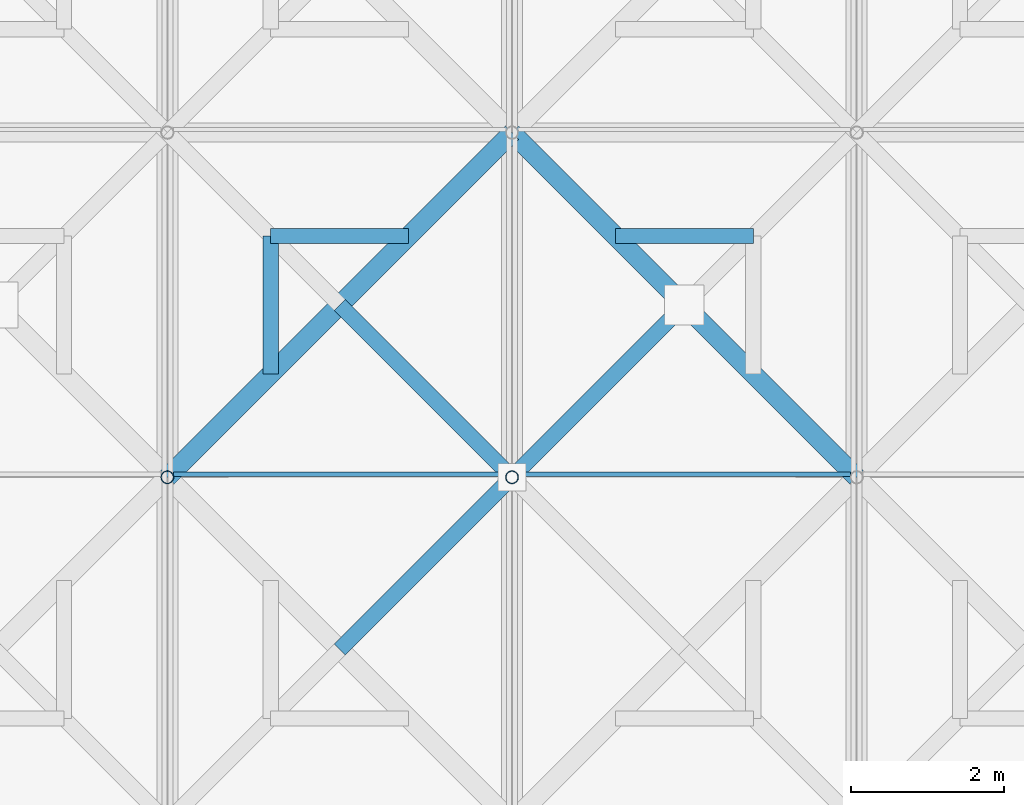
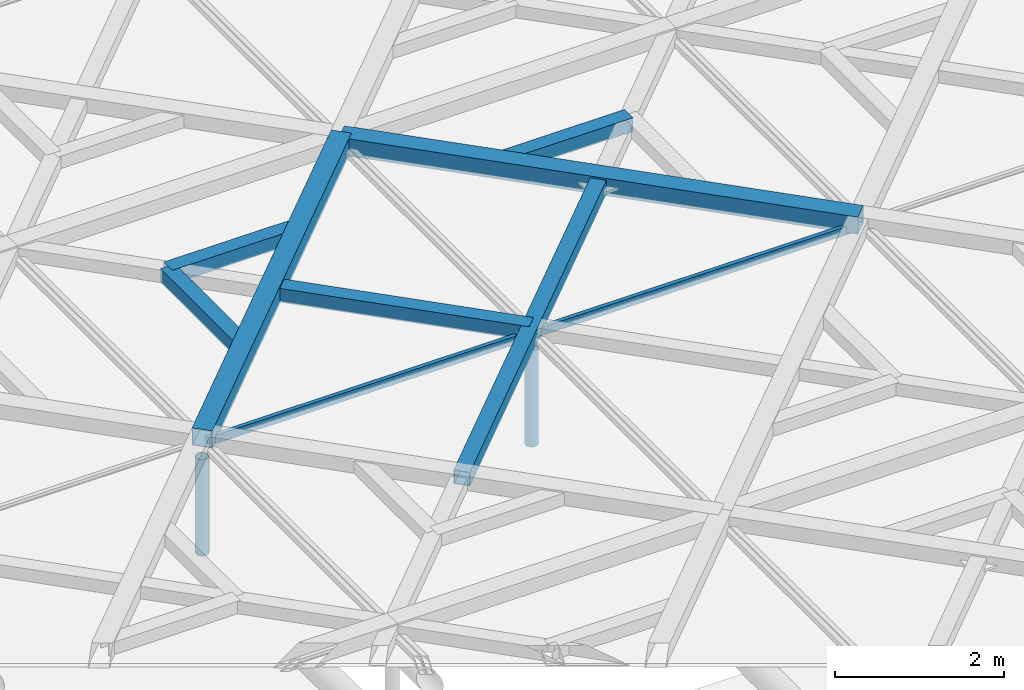
# One storey, part 42 of 80: 11 members, 2 elements without a shape of their own.
"""IFC4 building model written with IfcOpenShell, lengths in metres."""

from ifc_helpers import new_model, si_unit, direction, frame, origin, origin_2d, place, context, subcontext, project, spatial, rectangle, hollow_rectangle, hollow_circle, extrude, material, material_profile, profile_set, type_object, element, aggregate, save


model = new_model("IFC4")

# Units and contexts
model_context = context("Model", 3, precision=1e-05, world=origin(), true_north=direction((0.0, 1.0)))
body_context = subcontext(model_context, "Body", "Model", "MODEL_VIEW")
ifc_project = project(units=[si_unit("LENGTHUNIT", "METRE"), si_unit("AREAUNIT", "SQUARE_METRE"), si_unit("VOLUMEUNIT", "CUBIC_METRE"), si_unit("PLANEANGLEUNIT", "RADIAN"), si_unit("MASSUNIT", "GRAM", prefix="KILO"), si_unit("THERMODYNAMICTEMPERATUREUNIT", "KELVIN"), si_unit("POWERUNIT", "WATT")], contexts=[model_context])

# Site, building, storey
site_placement = place(None, origin())
site = spatial("IfcSite", under=ifc_project, at=site_placement, CompositionType="ELEMENT")
building_placement = place(site_placement, origin())
building = spatial("IfcBuilding", under=site, at=building_placement, Name="Tallowbark Science Centre", CompositionType="ELEMENT")
storey_placement = place(building_placement, frame((0.0, 0.0, 25.949951171875)))
storey = spatial("IfcBuildingStorey", under=building, at=storey_placement, Name="ROOF", CompositionType="ELEMENT", Elevation=25.949951171875)

# Curtain wall, member
ifc_material_1 = material(Name="Blue-Tinted Laminated Low-E Skylight Glass", Category="glass")
curtain_wall_type = type_object("IfcCurtainWallType", Name="CW-SKY-ROOF", PredefinedType="NOTDEFINED", material=ifc_material_1)
curtain_wall_1_placement = place(storey_placement, origin())
curtain_wall_1 = element("IfcCurtainWall", 1, at=curtain_wall_1_placement, inside=storey, type_object=curtain_wall_type, Name="Exhibition Star-Screen Skylight Bay 8", PredefinedType="NOTDEFINED")
ifc_material_2 = material(Name="Anodised Architectural Aluminium Alloy 6063-T6", Category="aluminium")
ifc_material_profile_1 = material_profile(ifc_material_2, rectangle(XDim=0.054931640625, YDim=0.1201171875, at=origin_2d()), Name="ALU55x120")
ifc_profile_set_1 = profile_set([ifc_material_profile_1], Name="Anodised Architectural Aluminium Alloy 6063-T6")
member_type_1 = type_object("IfcMemberType", Name="CWM-SKY-TRN", PredefinedType="USERDEFINED", material=ifc_profile_set_1)
member_1_placement = place(storey_placement, frame((85.580078125, 27.0400390625, 0.35205078125), z_axis=(1.0, 0.0, 0.0), x_axis=(0.0, 1.0, 0.0)))
member_1 = element("IfcMember", 2, at=member_1_placement, type_object=member_type_1, Name="Skylight Bay 8 Transom 7", ObjectType="TRANSOM", PredefinedType="USERDEFINED", context=body_context, shape_type="SweptSolid", body=[
    extrude(rectangle(XDim=0.054931640625, YDim=0.1201171875, at=origin_2d()), origin(), (0.0, 0.0, 1.0), 4.33984375),
])
aggregate(curtain_wall_1, [member_1])

curtain_wall_2_placement = place(storey_placement, origin())
curtain_wall_2 = element("IfcCurtainWall", 3, at=curtain_wall_2_placement, inside=storey, type_object=curtain_wall_type, Name="Exhibition Star-Screen Skylight Bay 9", PredefinedType="NOTDEFINED")
member_2_placement = place(storey_placement, frame((90.080078125, 27.0400390625, 0.35205078125), z_axis=(1.0, 0.0, 0.0), x_axis=(0.0, 1.0, 0.0)))
member_2 = element("IfcMember", 4, at=member_2_placement, type_object=member_type_1, Name="Skylight Bay 9 Transom 7", ObjectType="TRANSOM", PredefinedType="USERDEFINED", context=body_context, shape_type="SweptSolid", body=[
    extrude(rectangle(XDim=0.054931640625, YDim=0.1201171875, at=origin_2d()), origin(), (0.0, 0.0, 1.0), 4.33984375),
])
aggregate(curtain_wall_2, [member_2])

# Members
ifc_material_3 = material(Name="White Architectural Painted Steel Grade C350L0 (350 MPa)", Category="steel")
ifc_material_profile_2 = material_profile(ifc_material_3, hollow_rectangle(XDim=0.25, YDim=0.25, WallThickness=0.009033203125, at=origin_2d()), Name="250x250x9.0SHS")
ifc_profile_set_2 = profile_set([ifc_material_profile_2], Name="White Architectural Painted Steel Grade C350L0 (350 MPa)")
member_type_2 = type_object("IfcMemberType", Name="SCR-CHD200", PredefinedType="CHORD", material=ifc_profile_set_2)
for number, where, z_axis, x_axis, name in (
    (5, (94.5, 27.0, 0.449951171875), (-0.707106781187, 0.707106781187, 0.0), (-0.707106781187, -0.707106781187, 0.0), "Star Screen Octagram Diamond Chord TOP-68-2"),
    (6, (90.0, 31.5, 0.449951171875), (-0.707106781187, -0.707106781187, 0.0), (0.707106781187, -0.707106781187, 0.0), "Star Screen Octagram Diamond Chord TOP-68-3"),
):
    element("IfcMember", number, at=place(storey_placement, frame(where, z_axis=z_axis, x_axis=x_axis)), inside=storey, type_object=member_type_2, Name=name, PredefinedType="CHORD", context=body_context, shape_type="SweptSolid", body=[
        extrude(hollow_rectangle(XDim=0.25, YDim=0.25, WallThickness=0.009033203125, at=origin_2d()), origin(), (0.0, 0.0, 1.0), 6.364013671875),
    ])
ifc_material_profile_3 = material_profile(ifc_material_3, hollow_rectangle(XDim=0.199951171875, YDim=0.199951171875, WallThickness=0.009033203125, at=origin_2d()), Name="200x200x9.0SHS")
ifc_profile_set_3 = profile_set([ifc_material_profile_3], Name="White Architectural Painted Steel Grade C350L0 (350 MPa)")
member_type_3 = type_object("IfcMemberType", Name="SCR-STAR139", PredefinedType="BRACE", material=ifc_profile_set_3)
member_3_placement = place(storey_placement, frame((87.75, 24.75, 0.449951171875), z_axis=(0.707106781187, 0.707106781187, 0.0), x_axis=(-0.707106781187, 0.707106781187, 0.0)))
element("IfcMember", 7, at=member_3_placement, inside=storey, type_object=member_type_3, Name="Star Screen Continuous X-Diagonal D1M TOP-68", PredefinedType="BRACE", context=body_context, shape_type="SweptSolid", body=[
    extrude(hollow_rectangle(XDim=0.199951171875, YDim=0.199951171875, WallThickness=0.009033203125, at=origin_2d()), origin(), (0.0, 0.0, 1.0), 6.364013671875),
])
member_4_placement = place(storey_placement, frame((87.75, 29.25, 0.449951171875), z_axis=(0.707106781187, -0.707106781187, 0.0), x_axis=(0.707106781187, 0.707106781187, 0.0)))
element("IfcMember", 8, at=member_4_placement, inside=storey, type_object=member_type_3, Name="Star Screen Split X-Diagonal D2B TOP-68", PredefinedType="BRACE", context=body_context, shape_type="SweptSolid", body=[
    extrude(hollow_rectangle(XDim=0.199951171875, YDim=0.199951171875, WallThickness=0.009033203125, at=origin_2d()), origin(), (0.0, 0.0, 1.0), 3.181884765625),
])
ifc_material_profile_4 = material_profile(ifc_material_3, hollow_rectangle(XDim=0.199951171875, YDim=0.199951171875, WallThickness=0.009033203125, at=origin_2d()), Name="200x200x9.0SHS")
ifc_profile_set_4 = profile_set([ifc_material_profile_4], Name="White Architectural Painted Steel Grade C350L0 (350 MPa)")
member_type_4 = type_object("IfcMemberType", Name="SCR-SUB150", PredefinedType="BRACE", material=ifc_profile_set_4)
for number, where, z_axis, x_axis, name in (
    (9, (93.14990234375, 30.14990234375, 0.449951171875), (-1.0, 0.0, 0.0), (0.0, -1.0, 0.0), "Star Screen Octagram Point Ray TOP-68-5"),
    (10, (86.85009765625, 30.14990234375, 0.449951171875), (1.0, 0.0, 0.0), (0.0, 1.0, 0.0), "Star Screen Octagram Point Ray TOP-68-7"),
    (11, (86.85009765625, 30.14990234375, 0.449951171875), (0.0, -1.0, 0.0), (1.0, 0.0, 0.0), "Star Screen Octagram Point Ray TOP-68-8"),
):
    element("IfcMember", number, at=place(storey_placement, frame(where, z_axis=z_axis, x_axis=x_axis)), inside=storey, type_object=member_type_4, Name=name, PredefinedType="BRACE", context=body_context, shape_type="SweptSolid", body=[
        extrude(hollow_rectangle(XDim=0.199951171875, YDim=0.199951171875, WallThickness=0.009033203125, at=origin_2d()), origin(), (0.0, 0.0, 1.0), 1.7998046875),
    ])
ifc_material_profile_5 = material_profile(ifc_material_3, hollow_circle(Radius=0.084228515625, WallThickness=0.007080078125, at=origin_2d()), Name="168.3x7.1CHS")
ifc_profile_set_5 = profile_set([ifc_material_profile_5], Name="White Architectural Painted Steel Grade C350L0 (350 MPa)")
member_type_5 = type_object("IfcMemberType", Name="TR-WEB168", PredefinedType="BRACE", material=ifc_profile_set_5)
for number, where, z_axis, x_axis, name in (
    (12, (85.5, 27.0, -1.199951171875), (0.0, 0.0, 1.0), (1.0, 0.0, 0.0), "Exhibition Roof Truss Web 7-27"),
    (13, (90.0, 27.0, -1.199951171875), (0.0, 0.0, 1.0), (1.0, 0.0, 0.0), "Exhibition Roof Truss Web 8-27"),
):
    element("IfcMember", number, at=place(storey_placement, frame(where, z_axis=z_axis, x_axis=x_axis)), inside=storey, type_object=member_type_5, Name=name, PredefinedType="BRACE", context=body_context, shape_type="SweptSolid", body=[
        extrude(hollow_circle(Radius=0.084228515625, WallThickness=0.007080078125, at=origin_2d()), origin(), (0.0, 0.0, 1.0), 1.389892578125),
    ])

save(model, "model.ifc")
